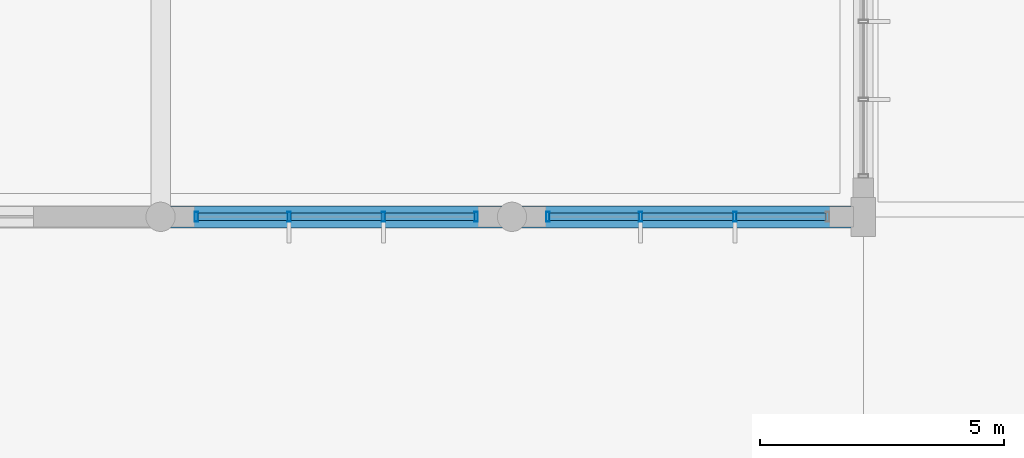
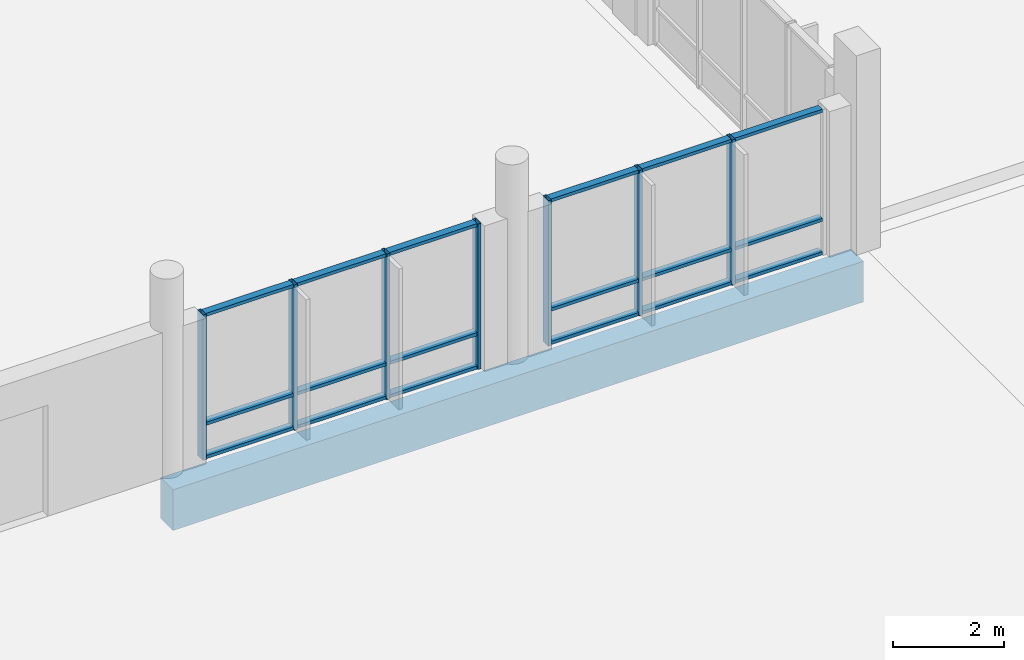
# One storey, part 75 of 233: 25 members, 1 beam, 2 elements without a shape of their own.
"""IFC4 building model written with IfcOpenShell, lengths in metres."""

from ifc_helpers import new_model, si_unit, direction, frame, origin, origin_2d, place, context, subcontext, project, spatial, rectangle, hollow_rectangle, extrude, material, material_profile, profile_set, type_object, element, aggregate, save


model = new_model("IFC4")

# Units and contexts
model_context = context("Model", 3, precision=1e-05, world=origin(), true_north=direction((0.0, 1.0)))
body_context = subcontext(model_context, "Body", "Model", "MODEL_VIEW")
ifc_project = project(units=[si_unit("LENGTHUNIT", "METRE"), si_unit("AREAUNIT", "SQUARE_METRE"), si_unit("VOLUMEUNIT", "CUBIC_METRE"), si_unit("PLANEANGLEUNIT", "RADIAN"), si_unit("MASSUNIT", "GRAM", prefix="KILO")], contexts=[model_context])

# Site, building, storey
site_placement = place(None, origin())
site = spatial("IfcSite", under=ifc_project, at=site_placement, CompositionType="ELEMENT")
building_placement = place(site_placement, origin())
building = spatial("IfcBuilding", under=site, at=building_placement, Name="Zavelmont Quarter", CompositionType="ELEMENT")
storey_placement = place(building_placement, origin())
storey = spatial("IfcBuildingStorey", under=building, at=storey_placement, Name="L00", CompositionType="ELEMENT", Elevation=0.0)

# Beam
ifc_material_1 = material(Name="Concrete C40/50", Category="concrete")
ifc_material_profile_1 = material_profile(ifc_material_1, rectangle(XDim=0.449951171875, YDim=0.89990234375, at=origin_2d()), Name="RC450X900")
ifc_profile_set_1 = profile_set([ifc_material_profile_1], Name="Concrete C40/50")
beam_type = type_object("IfcBeamType", Name="BM06", PredefinedType="BEAM", material=ifc_profile_set_1)
beam_placement = place(storey_placement, frame((98.39990234375, 30.0, -0.77001953125), z_axis=(1.0, 0.0, 0.0), x_axis=(0.0, 1.0, 0.0)))
element("IfcBeam", 1, at=beam_placement, inside=storey, type_object=beam_type, Name="L00 beam BM06 15/F to 17/F", PredefinedType="BEAM", context=body_context, shape_type="SweptSolid", body=[
    extrude(rectangle(XDim=0.449951171875, YDim=0.89990234375, at=origin_2d()), origin(), (0.0, 0.0, 1.0), 14.400146484375),
])

# Curtain wall, members
ifc_material_2 = material(Name="Thermally broken aluminium and double low-E safety glazing", Category="aluminium")
curtain_wall_type = type_object("IfcCurtainWallType", Name="CW-580X321", PredefinedType="NOTDEFINED", material=ifc_material_2)
curtain_wall_1_placement = place(storey_placement, origin())
curtain_wall_1 = element("IfcCurtainWall", 2, at=curtain_wall_1_placement, inside=storey, type_object=curtain_wall_type, Name="L00 unitised curtain wall CW-580X321", PredefinedType="NOTDEFINED")
ifc_material_3 = material(Name="Powder-coated aluminium EN AW-6063-T6", Category="aluminium")
ifc_material_profile_2 = material_profile(ifc_material_3, hollow_rectangle(XDim=0.070068359375, YDim=0.199951171875, WallThickness=0.0048828125, at=origin_2d()), Name="CWM70X200")
ifc_profile_set_2 = profile_set([ifc_material_profile_2], Name="Powder-coated aluminium EN AW-6063-T6")
member_type_1 = type_object("IfcMemberType", Name="CWM02", PredefinedType="MULLION", material=ifc_profile_set_2)
member_1_placement = place(storey_placement, frame((99.135009765625, 30.0, 0.0), z_axis=(0.0, 0.0, 1.0), x_axis=(1.0, 0.0, 0.0)))
member_1 = element("IfcMember", 3, at=member_1_placement, type_object=member_type_1, Name="CW-580X321 mullion 1", PredefinedType="MULLION", context=body_context, shape_type="SweptSolid", body=[
    extrude(hollow_rectangle(XDim=0.070068359375, YDim=0.199951171875, WallThickness=0.0048828125, at=origin_2d()), origin(), (0.0, 0.0, 1.0), 3.2099609375),
])
member_2_placement = place(storey_placement, frame((101.033447265625, 30.0, 0.0), z_axis=(0.0, 0.0, 1.0), x_axis=(1.0, 0.0, 0.0)))
member_2 = element("IfcMember", 4, at=member_2_placement, type_object=member_type_1, Name="CW-580X321 mullion 2", PredefinedType="MULLION", context=body_context, shape_type="SweptSolid", body=[
    extrude(hollow_rectangle(XDim=0.070068359375, YDim=0.199951171875, WallThickness=0.0048828125, at=origin_2d()), origin(), (0.0, 0.0, 1.0), 3.2099609375),
])
member_3_placement = place(storey_placement, frame((102.966552734375, 30.0, 0.0), z_axis=(0.0, 0.0, 1.0), x_axis=(1.0, 0.0, 0.0)))
member_3 = element("IfcMember", 5, at=member_3_placement, type_object=member_type_1, Name="CW-580X321 mullion 3", PredefinedType="MULLION", context=body_context, shape_type="SweptSolid", body=[
    extrude(hollow_rectangle(XDim=0.070068359375, YDim=0.199951171875, WallThickness=0.0048828125, at=origin_2d()), origin(), (0.0, 0.0, 1.0), 3.2099609375),
])
member_4_placement = place(storey_placement, frame((104.864990234375, 30.0, 0.0), z_axis=(0.0, 0.0, 1.0), x_axis=(1.0, 0.0, 0.0)))
member_4 = element("IfcMember", 6, at=member_4_placement, type_object=member_type_1, Name="CW-580X321 mullion 4", PredefinedType="MULLION", context=body_context, shape_type="SweptSolid", body=[
    extrude(hollow_rectangle(XDim=0.070068359375, YDim=0.199951171875, WallThickness=0.0048828125, at=origin_2d()), origin(), (0.0, 0.0, 1.0), 3.2099609375),
])

curtain_wall_2_placement = place(storey_placement, origin())
curtain_wall_2 = element("IfcCurtainWall", 7, at=curtain_wall_2_placement, inside=storey, type_object=curtain_wall_type, Name="L00 unitised curtain wall CW-580X321", PredefinedType="NOTDEFINED")
member_5_placement = place(storey_placement, frame((106.3349609375, 30.0, 0.0), z_axis=(0.0, 0.0, 1.0), x_axis=(1.0, 0.0, 0.0)))
member_5 = element("IfcMember", 8, at=member_5_placement, type_object=member_type_1, Name="CW-580X321 mullion 1", PredefinedType="MULLION", context=body_context, shape_type="SweptSolid", body=[
    extrude(hollow_rectangle(XDim=0.070068359375, YDim=0.199951171875, WallThickness=0.0048828125, at=origin_2d()), origin(), (0.0, 0.0, 1.0), 3.2099609375),
])
member_6_placement = place(storey_placement, frame((108.2333984375, 30.0, 0.0), z_axis=(0.0, 0.0, 1.0), x_axis=(1.0, 0.0, 0.0)))
member_6 = element("IfcMember", 9, at=member_6_placement, type_object=member_type_1, Name="CW-580X321 mullion 2", PredefinedType="MULLION", context=body_context, shape_type="SweptSolid", body=[
    extrude(hollow_rectangle(XDim=0.070068359375, YDim=0.199951171875, WallThickness=0.0048828125, at=origin_2d()), origin(), (0.0, 0.0, 1.0), 3.2099609375),
])
member_7_placement = place(storey_placement, frame((110.166748046875, 30.0, 0.0), z_axis=(0.0, 0.0, 1.0), x_axis=(1.0, 0.0, 0.0)))
member_7 = element("IfcMember", 10, at=member_7_placement, type_object=member_type_1, Name="CW-580X321 mullion 3", PredefinedType="MULLION", context=body_context, shape_type="SweptSolid", body=[
    extrude(hollow_rectangle(XDim=0.070068359375, YDim=0.199951171875, WallThickness=0.0048828125, at=origin_2d()), origin(), (0.0, 0.0, 1.0), 3.2099609375),
])

# Member
ifc_material_profile_3 = material_profile(ifc_material_3, hollow_rectangle(XDim=0.14990234375, YDim=0.070068359375, WallThickness=0.00439453125, at=origin_2d()), Name="CWT70X150")
ifc_profile_set_3 = profile_set([ifc_material_profile_3], Name="Powder-coated aluminium EN AW-6063-T6")
member_type_2 = type_object("IfcMemberType", Name="CWT02", PredefinedType="NOTDEFINED", material=ifc_profile_set_3)
member_8_placement = place(storey_placement, frame((99.169921875, 30.0, 0.034912109375), z_axis=(1.0, 0.0, 0.0), x_axis=(0.0, 1.0, 0.0)))
member_8 = element("IfcMember", 11, at=member_8_placement, type_object=member_type_2, Name="CW-580X321 transom 1.1", ObjectType="TRANSOM", PredefinedType="USERDEFINED", context=body_context, shape_type="SweptSolid", body=[
    extrude(hollow_rectangle(XDim=0.14990234375, YDim=0.070068359375, WallThickness=0.00439453125, at=origin_2d()), origin(), (0.0, 0.0, 1.0), 1.828369140625),
])

member_9_placement = place(storey_placement, frame((99.169921875, 30.0, 0.77001953125), z_axis=(1.0, 0.0, 0.0), x_axis=(0.0, 1.0, 0.0)))
member_9 = element("IfcMember", 12, at=member_9_placement, type_object=member_type_2, Name="CW-580X321 transom 1.2", ObjectType="TRANSOM", PredefinedType="USERDEFINED", context=body_context, shape_type="SweptSolid", body=[
    extrude(hollow_rectangle(XDim=0.14990234375, YDim=0.070068359375, WallThickness=0.00439453125, at=origin_2d()), origin(), (0.0, 0.0, 1.0), 1.828369140625),
])

member_10_placement = place(storey_placement, frame((99.169921875, 30.0, 3.175048828125), z_axis=(1.0, 0.0, 0.0), x_axis=(0.0, 1.0, 0.0)))
member_10 = element("IfcMember", 13, at=member_10_placement, type_object=member_type_2, Name="CW-580X321 transom 1.3", ObjectType="TRANSOM", PredefinedType="USERDEFINED", context=body_context, shape_type="SweptSolid", body=[
    extrude(hollow_rectangle(XDim=0.14990234375, YDim=0.070068359375, WallThickness=0.00439453125, at=origin_2d()), origin(), (0.0, 0.0, 1.0), 1.828369140625),
])

member_11_placement = place(storey_placement, frame((101.068359375, 30.0, 0.034912109375), z_axis=(1.0, 0.0, 0.0), x_axis=(0.0, 1.0, 0.0)))
member_11 = element("IfcMember", 14, at=member_11_placement, type_object=member_type_2, Name="CW-580X321 transom 2.1", ObjectType="TRANSOM", PredefinedType="USERDEFINED", context=body_context, shape_type="SweptSolid", body=[
    extrude(hollow_rectangle(XDim=0.14990234375, YDim=0.070068359375, WallThickness=0.00439453125, at=origin_2d()), origin(), (0.0, 0.0, 1.0), 1.86328125),
])

member_12_placement = place(storey_placement, frame((101.068359375, 30.0, 0.77001953125), z_axis=(1.0, 0.0, 0.0), x_axis=(0.0, 1.0, 0.0)))
member_12 = element("IfcMember", 15, at=member_12_placement, type_object=member_type_2, Name="CW-580X321 transom 2.2", ObjectType="TRANSOM", PredefinedType="USERDEFINED", context=body_context, shape_type="SweptSolid", body=[
    extrude(hollow_rectangle(XDim=0.14990234375, YDim=0.070068359375, WallThickness=0.00439453125, at=origin_2d()), origin(), (0.0, 0.0, 1.0), 1.86328125),
])

member_13_placement = place(storey_placement, frame((101.068359375, 30.0, 3.175048828125), z_axis=(1.0, 0.0, 0.0), x_axis=(0.0, 1.0, 0.0)))
member_13 = element("IfcMember", 16, at=member_13_placement, type_object=member_type_2, Name="CW-580X321 transom 2.3", ObjectType="TRANSOM", PredefinedType="USERDEFINED", context=body_context, shape_type="SweptSolid", body=[
    extrude(hollow_rectangle(XDim=0.14990234375, YDim=0.070068359375, WallThickness=0.00439453125, at=origin_2d()), origin(), (0.0, 0.0, 1.0), 1.86328125),
])

member_14_placement = place(storey_placement, frame((103.001708984375, 30.0, 0.034912109375), z_axis=(1.0, 0.0, 0.0), x_axis=(0.0, 1.0, 0.0)))
member_14 = element("IfcMember", 17, at=member_14_placement, type_object=member_type_2, Name="CW-580X321 transom 3.1", ObjectType="TRANSOM", PredefinedType="USERDEFINED", context=body_context, shape_type="SweptSolid", body=[
    extrude(hollow_rectangle(XDim=0.14990234375, YDim=0.070068359375, WallThickness=0.00439453125, at=origin_2d()), origin(), (0.0, 0.0, 1.0), 1.828369140625),
])

member_15_placement = place(storey_placement, frame((103.001708984375, 30.0, 0.77001953125), z_axis=(1.0, 0.0, 0.0), x_axis=(0.0, 1.0, 0.0)))
member_15 = element("IfcMember", 18, at=member_15_placement, type_object=member_type_2, Name="CW-580X321 transom 3.2", ObjectType="TRANSOM", PredefinedType="USERDEFINED", context=body_context, shape_type="SweptSolid", body=[
    extrude(hollow_rectangle(XDim=0.14990234375, YDim=0.070068359375, WallThickness=0.00439453125, at=origin_2d()), origin(), (0.0, 0.0, 1.0), 1.828369140625),
])

member_16_placement = place(storey_placement, frame((103.001708984375, 30.0, 3.175048828125), z_axis=(1.0, 0.0, 0.0), x_axis=(0.0, 1.0, 0.0)))
member_16 = element("IfcMember", 19, at=member_16_placement, type_object=member_type_2, Name="CW-580X321 transom 3.3", ObjectType="TRANSOM", PredefinedType="USERDEFINED", context=body_context, shape_type="SweptSolid", body=[
    extrude(hollow_rectangle(XDim=0.14990234375, YDim=0.070068359375, WallThickness=0.00439453125, at=origin_2d()), origin(), (0.0, 0.0, 1.0), 1.828369140625),
])

aggregate(curtain_wall_1, [member_1, member_2, member_3, member_4, member_8, member_9, member_10, member_11, member_12, member_13, member_14, member_15, member_16])

member_17_placement = place(storey_placement, frame((106.3701171875, 30.0, 0.034912109375), z_axis=(1.0, 0.0, 0.0), x_axis=(0.0, 1.0, 0.0)))
member_17 = element("IfcMember", 20, at=member_17_placement, type_object=member_type_2, Name="CW-580X321 transom 1.1", ObjectType="TRANSOM", PredefinedType="USERDEFINED", context=body_context, shape_type="SweptSolid", body=[
    extrude(hollow_rectangle(XDim=0.14990234375, YDim=0.070068359375, WallThickness=0.00439453125, at=origin_2d()), origin(), (0.0, 0.0, 1.0), 1.828125),
])

member_18_placement = place(storey_placement, frame((106.3701171875, 30.0, 0.77001953125), z_axis=(1.0, 0.0, 0.0), x_axis=(0.0, 1.0, 0.0)))
member_18 = element("IfcMember", 21, at=member_18_placement, type_object=member_type_2, Name="CW-580X321 transom 1.2", ObjectType="TRANSOM", PredefinedType="USERDEFINED", context=body_context, shape_type="SweptSolid", body=[
    extrude(hollow_rectangle(XDim=0.14990234375, YDim=0.070068359375, WallThickness=0.00439453125, at=origin_2d()), origin(), (0.0, 0.0, 1.0), 1.828125),
])

member_19_placement = place(storey_placement, frame((106.3701171875, 30.0, 3.175048828125), z_axis=(1.0, 0.0, 0.0), x_axis=(0.0, 1.0, 0.0)))
member_19 = element("IfcMember", 22, at=member_19_placement, type_object=member_type_2, Name="CW-580X321 transom 1.3", ObjectType="TRANSOM", PredefinedType="USERDEFINED", context=body_context, shape_type="SweptSolid", body=[
    extrude(hollow_rectangle(XDim=0.14990234375, YDim=0.070068359375, WallThickness=0.00439453125, at=origin_2d()), origin(), (0.0, 0.0, 1.0), 1.828125),
])

member_20_placement = place(storey_placement, frame((108.268310546875, 30.0, 0.034912109375), z_axis=(1.0, 0.0, 0.0), x_axis=(0.0, 1.0, 0.0)))
member_20 = element("IfcMember", 23, at=member_20_placement, type_object=member_type_2, Name="CW-580X321 transom 2.1", ObjectType="TRANSOM", PredefinedType="USERDEFINED", context=body_context, shape_type="SweptSolid", body=[
    extrude(hollow_rectangle(XDim=0.14990234375, YDim=0.070068359375, WallThickness=0.00439453125, at=origin_2d()), origin(), (0.0, 0.0, 1.0), 1.86328125),
])

member_21_placement = place(storey_placement, frame((108.268310546875, 30.0, 0.77001953125), z_axis=(1.0, 0.0, 0.0), x_axis=(0.0, 1.0, 0.0)))
member_21 = element("IfcMember", 24, at=member_21_placement, type_object=member_type_2, Name="CW-580X321 transom 2.2", ObjectType="TRANSOM", PredefinedType="USERDEFINED", context=body_context, shape_type="SweptSolid", body=[
    extrude(hollow_rectangle(XDim=0.14990234375, YDim=0.070068359375, WallThickness=0.00439453125, at=origin_2d()), origin(), (0.0, 0.0, 1.0), 1.86328125),
])

member_22_placement = place(storey_placement, frame((108.268310546875, 30.0, 3.175048828125), z_axis=(1.0, 0.0, 0.0), x_axis=(0.0, 1.0, 0.0)))
member_22 = element("IfcMember", 25, at=member_22_placement, type_object=member_type_2, Name="CW-580X321 transom 2.3", ObjectType="TRANSOM", PredefinedType="USERDEFINED", context=body_context, shape_type="SweptSolid", body=[
    extrude(hollow_rectangle(XDim=0.14990234375, YDim=0.070068359375, WallThickness=0.00439453125, at=origin_2d()), origin(), (0.0, 0.0, 1.0), 1.86328125),
])

member_23_placement = place(storey_placement, frame((110.20166015625, 30.0, 0.034912109375), z_axis=(1.0, 0.0, 0.0), x_axis=(0.0, 1.0, 0.0)))
member_23 = element("IfcMember", 26, at=member_23_placement, type_object=member_type_2, Name="CW-580X321 transom 3.1", ObjectType="TRANSOM", PredefinedType="USERDEFINED", context=body_context, shape_type="SweptSolid", body=[
    extrude(hollow_rectangle(XDim=0.14990234375, YDim=0.070068359375, WallThickness=0.00439453125, at=origin_2d()), origin(), (0.0, 0.0, 1.0), 1.828369140625),
])

member_24_placement = place(storey_placement, frame((110.20166015625, 30.0, 0.77001953125), z_axis=(1.0, 0.0, 0.0), x_axis=(0.0, 1.0, 0.0)))
member_24 = element("IfcMember", 27, at=member_24_placement, type_object=member_type_2, Name="CW-580X321 transom 3.2", ObjectType="TRANSOM", PredefinedType="USERDEFINED", context=body_context, shape_type="SweptSolid", body=[
    extrude(hollow_rectangle(XDim=0.14990234375, YDim=0.070068359375, WallThickness=0.00439453125, at=origin_2d()), origin(), (0.0, 0.0, 1.0), 1.828369140625),
])

member_25_placement = place(storey_placement, frame((110.20166015625, 30.0, 3.175048828125), z_axis=(1.0, 0.0, 0.0), x_axis=(0.0, 1.0, 0.0)))
member_25 = element("IfcMember", 28, at=member_25_placement, type_object=member_type_2, Name="CW-580X321 transom 3.3", ObjectType="TRANSOM", PredefinedType="USERDEFINED", context=body_context, shape_type="SweptSolid", body=[
    extrude(hollow_rectangle(XDim=0.14990234375, YDim=0.070068359375, WallThickness=0.00439453125, at=origin_2d()), origin(), (0.0, 0.0, 1.0), 1.828369140625),
])

aggregate(curtain_wall_2, [member_5, member_6, member_7, member_17, member_18, member_19, member_20, member_21, member_22, member_23, member_24, member_25])

save(model, "model.ifc")
